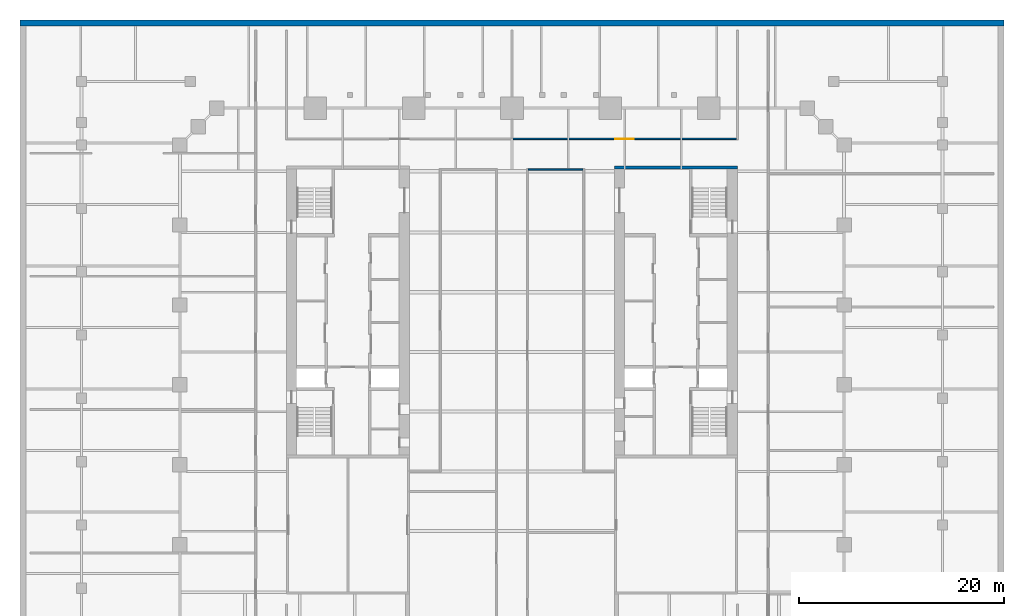
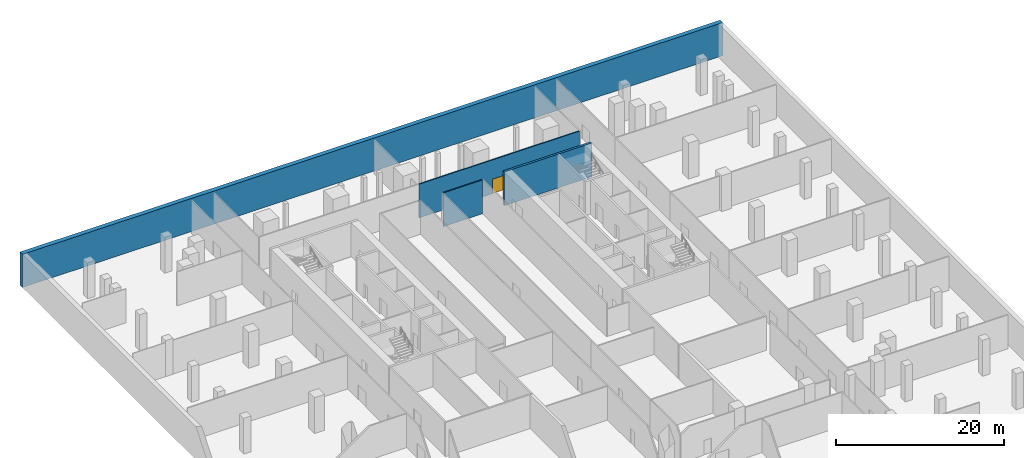
# One storey, part 12 of 15: 4 walls, 1 door, 1 opening.
"""IFC4 building model written with IfcOpenShell, lengths in metres."""

from ifc_helpers import new_model, si_unit, direction, frame, frame_2d, origin, place, context, subcontext, project, spatial, rectangle, extrude, material, layer, layer_set, type_object, element, fill, save


model = new_model("IFC4")

# Units and contexts
model_context = context("Model", 3, precision=1e-05, world=origin(), true_north=direction((0.0, 1.0)))
body_context = subcontext(model_context, "Body", "Model", "MODEL_VIEW")
ifc_project = project(units=[si_unit("LENGTHUNIT", "METRE"), si_unit("AREAUNIT", "SQUARE_METRE"), si_unit("VOLUMEUNIT", "CUBIC_METRE"), si_unit("PLANEANGLEUNIT", "RADIAN"), si_unit("MASSUNIT", "GRAM", prefix="KILO")], contexts=[model_context])

# Site, building, storey
site_placement = place(None, origin())
site = spatial("IfcSite", under=ifc_project, at=site_placement, CompositionType="ELEMENT")
building_placement = place(site_placement, origin())
building = spatial("IfcBuilding", under=site, at=building_placement, Name="Ogive Exchange Tower", CompositionType="ELEMENT")
storey_placement = place(building_placement, frame((0.0, 0.0, -5.199951171875)))
storey = spatial("IfcBuildingStorey", under=building, at=storey_placement, Name="B1", CompositionType="ELEMENT", Elevation=-5.199951171875)

# Walls
ifc_material_1 = material(Name="Concrete C50/60", Category="concrete")
ifc_layer_1 = layer(ifc_material_1, 0.60009765625)
ifc_layer_set_1 = layer_set([ifc_layer_1], Name="Concrete C50/60 retaining wall 600")
wall_type_1 = type_object("IfcWallType", Name="Concrete C50/60 retaining wall 600", PredefinedType="SOLIDWALL", material=ifc_layer_set_1)
wall_1_placement = place(storey_placement, frame((-48.0, 39.699951171875, 0.0), z_axis=(0.0, 0.0, 1.0), x_axis=(1.0, 0.0, 0.0)))
element("IfcWall", 1, at=wall_1_placement, inside=storey, type_object=wall_type_1, Name="Retaining wall N", PredefinedType="SOLIDWALL", context=body_context, shape_type="SweptSolid", body=[
    extrude(rectangle(XDim=96.0, YDim=0.60009765625, at=frame_2d((48.0, 0.0))), origin(), (0.0, 0.0, 1.0), 4.800048828125),
])
ifc_material_2 = material(Name="Fire partition EI 60 150")
ifc_layer_2 = layer(ifc_material_2, 0.14990234375)
ifc_layer_set_2 = layer_set([ifc_layer_2], Name="Fire partition EI 60 150")
wall_type_2 = type_object("IfcWallType", Name="Fire partition EI 60 150", PredefinedType="PARTITIONING", material=ifc_layer_set_2)
wall_2_placement = place(storey_placement, frame((1.574951171875, 25.39990234375, 0.0), z_axis=(0.0, 0.0, 1.0), x_axis=(1.0, 0.0, 0.0)))
element("IfcWall", 2, at=wall_2_placement, inside=storey, type_object=wall_type_2, Name="B1-PWL-034", PredefinedType="PARTITIONING", context=body_context, shape_type="SweptSolid", body=[
    extrude(rectangle(XDim=5.35009765625, YDim=0.14990234375, at=frame_2d((2.675048828125, 0.0))), origin(), (0.0, 0.0, 1.0), 4.89990234375),
])

# Wall, opening, door
wall_3_placement = place(storey_placement, frame((0.0, 28.39990234375, 0.0), z_axis=(0.0, 0.0, 1.0), x_axis=(1.0, 0.0, 0.0)))
wall_3 = element("IfcWall", 3, at=wall_3_placement, inside=storey, type_object=wall_type_2, Name="B1-PWL-038", PredefinedType="PARTITIONING", context=body_context, shape_type="SweptSolid", body=[
    extrude(rectangle(XDim=21.925048828125, YDim=0.14990234375, at=frame_2d((10.96240234375, 0.0))), origin(), (0.0, 0.0, 1.0), 4.89990234375),
])
opening_placement = place(wall_3_placement, frame((10.0625, 0.0, 0.0)))
opening = element("IfcOpeningElement", 4, at=opening_placement, cuts=wall_3, Name="Opening B1-I34", PredefinedType="OPENING", context=body_context, shape_type="SweptSolid", body=[
    extrude(rectangle(XDim=1.800048828125, YDim=2.10009765625, at=frame_2d((0.89990234375, 1.050048828125))), frame((0.0, 0.0849609375, 0.0), z_axis=(0.0, -1.0, 0.0), x_axis=(1.0, 0.0, 0.0)), (0.0, 0.0, 1.0), 0.169921875),
])
ifc_material_3 = material(Name="Fire door FD 30S 1800 x 2100")
door_type = type_object("IfcDoorType", Name="Fire door FD 30S 1800 x 2100", OperationType="DOUBLE_DOOR_SINGLE_SWING", PredefinedType="DOOR", material=ifc_material_3)
door_placement = place(opening_placement, frame((1.800048828125, 0.0, 0.0), z_axis=(0.0, 0.0, 1.0), x_axis=(-1.0, 0.0, 0.0)))
door = element("IfcDoor", 5, at=door_placement, inside=storey, type_object=door_type, Name="B1-IDR-034", ObjectType="DT4", OperationType="SINGLE_SWING_RIGHT", OverallHeight=2.10009765625, OverallWidth=1.800048828125, PredefinedType="DOOR", context=body_context, shape_type="SweptSolid", body=[
    extrude(rectangle(XDim=1.800048828125, YDim=2.10009765625, at=frame_2d((0.89990234375, 1.050048828125))), frame((0.0, 0.02490234375, 0.0), z_axis=(0.0, -1.0, 0.0), x_axis=(1.0, 0.0, 0.0)), (0.0, 0.0, 1.0), 0.050048828125),
])
fill(opening, door)

# Wall
ifc_material_4 = material(Name="Concrete C70/85", Category="concrete")
ifc_layer_3 = layer(ifc_material_4, 0.300048828125)
ifc_layer_set_3 = layer_set([ifc_layer_3], Name="RC core wall 300 C70/85")
wall_type_3 = type_object("IfcWallType", Name="RC core wall 300 C70/85", PredefinedType="SHEAR", material=ifc_layer_set_3)
wall_4_placement = place(storey_placement, frame((10.0, 25.60009765625, 0.0), z_axis=(0.0, 0.0, 1.0), x_axis=(1.0, 0.0, 0.0)))
element("IfcWall", 6, at=wall_4_placement, inside=storey, type_object=wall_type_3, Name="E north end wall", PredefinedType="SHEAR", context=body_context, shape_type="SweptSolid", body=[
    extrude(rectangle(XDim=12.0, YDim=0.300048828125, at=frame_2d((6.0, 0.0))), origin(), (0.0, 0.0, 1.0), 4.89990234375),
])

save(model, "model.ifc")
